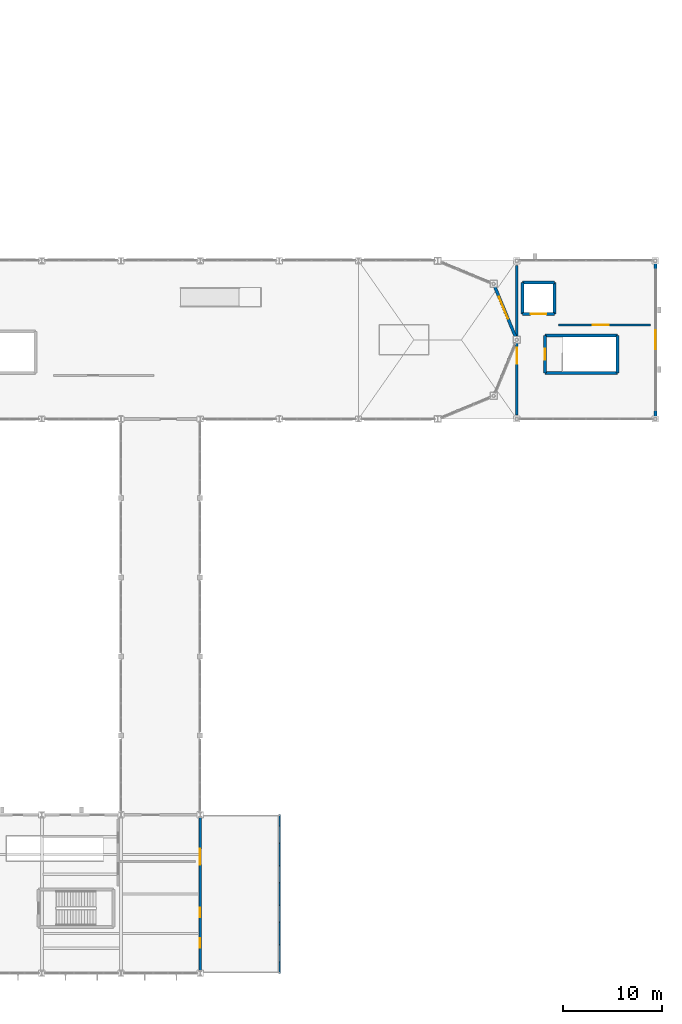
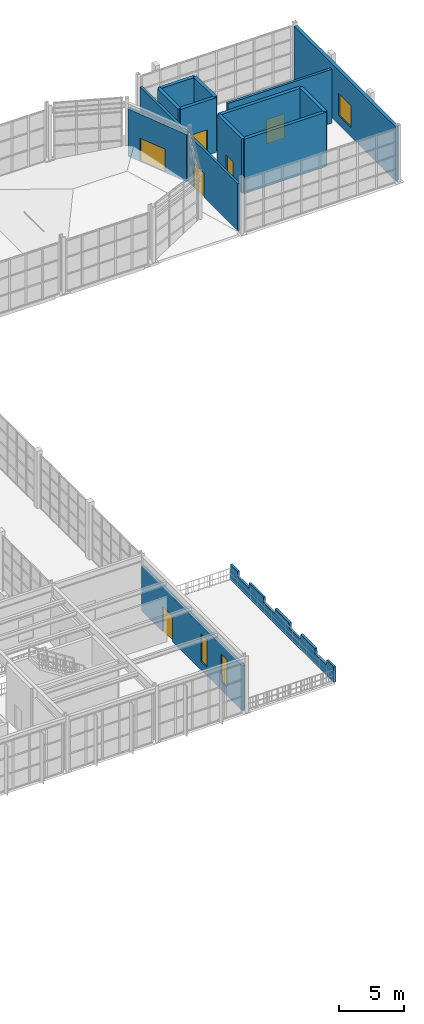
# One storey, part 70 of 82: 14 walls, 6 doors, 3 windows, 9 openings.
"""IFC4 building model written with IfcOpenShell, lengths in metres."""

import ifcopenshell
import ifcopenshell.guid

model = None  # the IFC model being written
_history = None  # IfcOwnerHistory: only IFC2X3 demands one
_inside = {}  # id of a spatial element -> (the spatial element, [elements in it])
_under = {}  # id of a project, library or spatial element -> (it, [spatial elements below it])
_declared = {}  # id of a project -> (the project, [libraries it declares])
_typed = {}  # id of a type object -> (the type object, [elements of that type])
_made_of = {}  # id of a material, layer set ... -> (it, [elements and type objects made of it])


def new_model(schema):
    """Start an empty IFC model of exactly this schema.

    Asked for "IFC4X3", IfcOpenShell would pick the latest addendum, in which some entities
    have other attributes; the version numbers below select the first issue.
    IFC2X3 requires an IfcOwnerHistory on every rooted entity: one is made here for all.
    """
    global model, _history
    if schema == "IFC4X3":
        model = ifcopenshell.file(schema_version=(4, 3, 0, 0))
    else:
        model = ifcopenshell.file(schema=schema)
    _inside.clear()
    _under.clear()
    _declared.clear()
    _typed.clear()
    _made_of.clear()
    _history = None
    if model.schema == "IFC2X3":
        org = make("IfcOrganization", Name="unknown")
        user = make(
            "IfcPersonAndOrganization",
            ThePerson=make("IfcPerson", FamilyName="unknown"),
            TheOrganization=org,
        )
        app = make(
            "IfcApplication",
            ApplicationDeveloper=org,
            Version="unknown",
            ApplicationFullName="unknown",
            ApplicationIdentifier="unknown",
        )
        _history = make(
            "IfcOwnerHistory",
            OwningUser=user,
            OwningApplication=app,
            ChangeAction="ADDED",
            CreationDate=0,
        )
    return model


def make(cls, **values):
    """One entity of the class cls with the attributes given. An attribute that is None is left unset."""
    return model.create_entity(
        cls, **{name: value for name, value in values.items() if value is not None}
    )


def rooted(cls, **values):
    """An entity with a GlobalId (a new one), such as an element, a storey or a relation."""
    return make(cls, GlobalId=ifcopenshell.guid.new(), OwnerHistory=_history, **values)


def si_unit(unit_type, name, prefix=None):
    """IfcSIUnit, for example si_unit("LENGTHUNIT", "METRE", prefix="MILLI")."""
    return make("IfcSIUnit", UnitType=unit_type, Prefix=prefix, Name=name)


def assignment(units):
    """IfcUnitAssignment: the units of a project."""
    return None if units is None else make("IfcUnitAssignment", Units=units)


def point(xyz):
    """IfcCartesianPoint."""
    return None if xyz is None else make("IfcCartesianPoint", Coordinates=xyz)


def direction(xyz):
    """IfcDirection."""
    return None if xyz is None else make("IfcDirection", DirectionRatios=xyz)


def frame(location, z_axis=None, x_axis=None):
    """IfcAxis2Placement3D, a coordinate frame: its origin and axes. An axis left out is left unset."""
    return make(
        "IfcAxis2Placement3D",
        Location=point(location),
        Axis=direction(z_axis),
        RefDirection=direction(x_axis),
    )


def frame_2d(location, x_axis=None):
    """IfcAxis2Placement2D, a coordinate frame in the plane: its origin and x axis."""
    return make(
        "IfcAxis2Placement2D", Location=point(location), RefDirection=direction(x_axis)
    )


def origin():
    """The frame at (0, 0, 0) with its axes left unset."""
    return frame((0.0, 0.0, 0.0))


def place(relative_to, where):
    """IfcLocalPlacement: puts the frame where relative to a parent placement (None: the world)."""
    return make(
        "IfcLocalPlacement", PlacementRelTo=relative_to, RelativePlacement=where
    )


def context(
    kind, dimensions, precision=None, world=None, true_north=None, identifier=None
):
    """IfcGeometricRepresentationContext, for example the 3D "Model" context."""
    return make(
        "IfcGeometricRepresentationContext",
        ContextIdentifier=identifier,
        ContextType=kind,
        CoordinateSpaceDimension=dimensions,
        Precision=precision,
        WorldCoordinateSystem=world,
        TrueNorth=true_north,
    )


def subcontext(parent, identifier, kind, view, scale=None):
    """IfcGeometricRepresentationSubContext, for example "Body" below "Model"."""
    return make(
        "IfcGeometricRepresentationSubContext",
        ContextIdentifier=identifier,
        ContextType=kind,
        ParentContext=parent,
        TargetScale=scale,
        TargetView=view,
    )


def project(units=None, contexts=None):
    """IfcProject with its units and contexts."""
    return rooted(
        "IfcProject",
        Name="project",
        RepresentationContexts=contexts,
        UnitsInContext=assignment(units),
    )


def spatial(cls, under=None, at=None, **own):
    """A site, building, storey or space (cls), placed at a placement, below another one or the project."""
    s = rooted(cls, ObjectPlacement=at, **own)
    if under is not None:
        _under.setdefault(under.id(), (under, []))[1].append(s)
    return s


def polyline(points):
    """IfcPolyline through the points."""
    return make("IfcPolyline", Points=[point(p) for p in points])


def profile(cls, at=None, kind="AREA", **sizes):
    """A parametric profile (cls). Its sizes go by their IFC names, for example OverallWidth=200.0."""
    return make(cls, ProfileType=kind, Position=at, **sizes)


def rectangle(**sizes):
    """IfcRectangleProfileDef."""
    return profile("IfcRectangleProfileDef", **sizes)


def outline(outer, holes=None, kind="AREA"):
    """IfcArbitraryClosedProfileDef: a profile drawn as a closed curve; with holes, ...WithVoids."""
    if holes is None:
        return make("IfcArbitraryClosedProfileDef", ProfileType=kind, OuterCurve=outer)
    return make(
        "IfcArbitraryProfileDefWithVoids",
        ProfileType=kind,
        OuterCurve=outer,
        InnerCurves=holes,
    )


def extrude(swept, where, along, depth):
    """IfcExtrudedAreaSolid: the profile swept, set in the frame where, extruded along a direction by depth."""
    return make(
        "IfcExtrudedAreaSolid",
        SweptArea=swept,
        Position=where,
        ExtrudedDirection=direction(along),
        Depth=depth,
    )


def shape(context_of_items, identifier, shape_type, items):
    """IfcShapeRepresentation: the items that make up one representation, for example the "Body"."""
    return make(
        "IfcShapeRepresentation",
        ContextOfItems=context_of_items,
        RepresentationIdentifier=identifier,
        RepresentationType=shape_type,
        Items=items,
    )


def material(Name=None, Category=None):
    """IfcMaterial."""
    return make("IfcMaterial", Name=Name, Category=Category)


def layer(
    of_material, thickness, ventilated=None, Name=None, Category=None, Priority=None
):
    """IfcMaterialLayer: one layer of a wall or slab, of a material (None: an air gap)."""
    return make(
        "IfcMaterialLayer",
        Material=of_material,
        LayerThickness=thickness,
        IsVentilated=ventilated,
        Name=Name,
        Category=Category,
        Priority=Priority,
    )


def layer_set(layers, Name=None):
    """IfcMaterialLayerSet."""
    return make("IfcMaterialLayerSet", MaterialLayers=layers, LayerSetName=Name)


def made_of(thing, what):
    """Note that an element or type object is made of a material, layer set ...; save() writes the relation."""
    if what is not None:
        _made_of.setdefault(what.id(), (what, []))[1].append(thing)
    return thing


def type_object(cls, material=None, **own):
    """A type object (cls), such as IfcWallType, which elements share."""
    return made_of(rooted(cls, **own), material)


def element(
    cls,
    number,
    at=None,
    inside=None,
    cuts=None,
    type_object=None,
    material=None,
    context=None,
    identifier="Body",
    shape_type=None,
    held_by="IfcProductDefinitionShape",
    body=None,
    shapes=None,
    **own,
):
    """One element of the class cls, such as IfcWall. Its Tag is "e" and its number.

    at: its placement. inside: the storey or other place that contains it. cuts: it is an
    opening in that element (IfcRelVoidsElement). A single representation is given by context,
    identifier, shape_type and body (its items); several are given by shapes. held_by: the class
    of the entity that holds the representations. save() writes the other relations.
    """
    e = rooted(cls, Tag="e%d" % number, ObjectPlacement=at, **own)
    if body is not None:
        shapes = [shape(context, identifier, shape_type, body)]
    if shapes is not None:
        e.Representation = make(held_by, Representations=shapes)
    if inside is not None:
        _inside.setdefault(inside.id(), (inside, []))[1].append(e)
    if cuts is not None:
        rooted(
            "IfcRelVoidsElement", RelatingBuildingElement=cuts, RelatedOpeningElement=e
        )
    if type_object is not None:
        _typed.setdefault(type_object.id(), (type_object, []))[1].append(e)
    return made_of(e, material)


def fill(opening, filler):
    """IfcRelFillsElement: the door or window that sits in an opening."""
    return rooted(
        "IfcRelFillsElement",
        RelatingOpeningElement=opening,
        RelatedBuildingElement=filler,
    )


def aggregate(whole, parts):
    """IfcRelAggregates: a whole, such as a stair, and the parts it consists of."""
    return rooted("IfcRelAggregates", RelatingObject=whole, RelatedObjects=parts)


def save(model, path):
    """Write the relations noted so far, then the file.

    IfcRelAggregates (storeys below a building ...), IfcRelContainedInSpatialStructure (elements
    in a storey), IfcRelDefinesByType, IfcRelAssociatesMaterial and IfcRelDeclares: one each for
    every whole, place, type object, material and project.
    """
    for whole, parts in _under.values():
        aggregate(whole, parts)
    for where, things in _inside.values():
        rooted(
            "IfcRelContainedInSpatialStructure",
            RelatedElements=things,
            RelatingStructure=where,
        )
    for kind, things in _typed.values():
        rooted("IfcRelDefinesByType", RelatedObjects=things, RelatingType=kind)
    for what, things in _made_of.values():
        rooted("IfcRelAssociatesMaterial", RelatedObjects=things, RelatingMaterial=what)
    for by, libraries in _declared.values():
        rooted("IfcRelDeclares", RelatingContext=by, RelatedDefinitions=libraries)
    model.write(path)


model = new_model("IFC4")

# Units and contexts
model_context = context("Model", 3, precision=1e-05, world=origin(), true_north=direction((0.0, 1.0)))
body_context = subcontext(model_context, "Body", "Model", "MODEL_VIEW")
ifc_project = project(units=[si_unit("LENGTHUNIT", "METRE"), si_unit("AREAUNIT", "SQUARE_METRE"), si_unit("VOLUMEUNIT", "CUBIC_METRE"), si_unit("PLANEANGLEUNIT", "RADIAN"), si_unit("MASSUNIT", "GRAM", prefix="KILO")], contexts=[model_context])

# Site, building, storey
site_placement = place(None, origin())
site = spatial("IfcSite", under=ifc_project, at=site_placement, CompositionType="ELEMENT")
building_placement = place(site_placement, origin())
building = spatial("IfcBuilding", under=site, at=building_placement, Name="Serraluz Foothill Cableway Terminal", CompositionType="ELEMENT")
storey_placement = place(building_placement, frame((0.0, 0.0, 9.60009765625)))
storey = spatial("IfcBuildingStorey", under=building, at=storey_placement, Name="L02", CompositionType="ELEMENT", Elevation=9.60009765625)

# Wall, openings, door, windows
ifc_material_1 = material(Name="Fired clay masonry brick (f'm 12 MPa)", Category="masonry")
ifc_layer_1 = layer(ifc_material_1, 0.280029296875, Name="Fired clay masonry brick (f'm 12 MPa)", Category="masonry")
ifc_layer_set_1 = layer_set([ifc_layer_1], Name="Fired clay masonry brick (f'm 12 MPa)")
wall_type_1 = type_object("IfcWallType", Name="TYP-WL-EXT-280", PredefinedType="STANDARD", material=ifc_layer_set_1)
wall_1_placement = place(storey_placement, frame((128.0, 15.763916015625, 0.0), z_axis=(0.0, 0.0, 1.0), x_axis=(0.0, -1.0, 0.0)))
wall_1 = element("IfcWall", 1, at=wall_1_placement, inside=storey, type_object=wall_type_1, Name="Exterior Masonry Wall EW-V3E-L02", PredefinedType="STANDARD", context=body_context, shape_type="SweptSolid", body=[
    extrude(rectangle(XDim=15.52783203125, YDim=0.280029296875, at=frame_2d((7.763916015625, 0.0))), origin(), (0.0, 0.0, 1.0), 4.23779296875),
])
opening_1_placement = place(wall_1_placement, frame((9.15234375, 0.0, 0.800048828125)))
opening_1 = element("IfcOpeningElement", 2, at=opening_1_placement, cuts=wall_1, Name="Opening W-03", PredefinedType="OPENING", context=body_context, shape_type="SweptSolid", body=[
    extrude(rectangle(XDim=0.949951171875, YDim=2.60009765625, at=frame_2d((0.47509765625, 1.300048828125))), frame((0.0, 0.14990234375, 0.0), z_axis=(0.0, -1.0, 0.0), x_axis=(1.0, 0.0, 0.0)), (0.0, 0.0, 1.0), 0.300048828125),
])
opening_2_placement = place(wall_1_placement, frame((12.258056640625, 0.0, 0.800048828125)))
opening_2 = element("IfcOpeningElement", 3, at=opening_2_placement, cuts=wall_1, Name="Opening W-03", PredefinedType="OPENING", context=body_context, shape_type="SweptSolid", body=[
    extrude(rectangle(XDim=0.949951171875, YDim=2.60009765625, at=frame_2d((0.47509765625, 1.300048828125))), frame((0.0, 0.14990234375, 0.0), z_axis=(0.0, -1.0, 0.0), x_axis=(1.0, 0.0, 0.0)), (0.0, 0.0, 1.0), 0.300048828125),
])
opening_3_placement = place(wall_1_placement, frame((3.199951171875, 0.0, 0.0)))
opening_3 = element("IfcOpeningElement", 4, at=opening_3_placement, cuts=wall_1, Name="Opening DT-03", PredefinedType="OPENING", context=body_context, shape_type="SweptSolid", body=[
    extrude(rectangle(XDim=1.60009765625, YDim=2.39990234375, at=frame_2d((0.800048828125, 1.199951171875))), frame((0.0, 0.14990234375, 0.0), z_axis=(0.0, -1.0, 0.0), x_axis=(1.0, 0.0, 0.0)), (0.0, 0.0, 1.0), 0.300048828125),
])
ifc_material_2 = material(Name="Architectural bronze alloy C28000", Category="aluminium")
door_type_1 = type_object("IfcDoorType", Name="TYP-DR-TER-1600", OperationType="DOUBLE_DOOR_SINGLE_SWING", PredefinedType="DOOR", material=ifc_material_2)
door_1_placement = place(opening_3_placement, origin())
door_1 = element("IfcDoor", 5, at=door_1_placement, inside=storey, type_object=door_type_1, Name="Restaurant Terrace Access Door L02", OperationType="DOUBLE_DOOR_SINGLE_SWING", OverallHeight=2.39990234375, OverallWidth=1.60009765625, PredefinedType="DOOR", context=body_context, shape_type="SweptSolid", body=[
    extrude(rectangle(XDim=1.60009765625, YDim=2.39990234375, at=frame_2d((0.800048828125, 1.199951171875))), frame((0.0, 0.02490234375, 0.0), z_axis=(0.0, -1.0, 0.0), x_axis=(1.0, 0.0, 0.0)), (0.0, 0.0, 1.0), 0.050048828125),
])
fill(opening_3, door_1)
ifc_material_3 = material(Name="Laminated low-E safety glass", Category="glass")
window_type_1 = type_object("IfcWindowType", Name="TYP-WN-095X260", PartitioningType="SINGLE_PANEL", PredefinedType="WINDOW", material=ifc_material_3)
window_1_placement = place(opening_1_placement, origin())
window_1 = element("IfcWindow", 6, at=window_1_placement, inside=storey, type_object=window_type_1, Name="Exterior Window EW-V3E-L02-WN1", OverallHeight=2.60009765625, OverallWidth=0.949951171875, PartitioningType="SINGLE_PANEL", PredefinedType="WINDOW", context=body_context, shape_type="SweptSolid", body=[
    extrude(rectangle(XDim=0.949951171875, YDim=2.60009765625, at=frame_2d((0.47509765625, 1.300048828125))), frame((0.0, 0.030029296875, 0.0), z_axis=(0.0, -1.0, 0.0), x_axis=(1.0, 0.0, 0.0)), (0.0, 0.0, 1.0), 0.06005859375),
])
fill(opening_1, window_1)
window_2_placement = place(opening_2_placement, origin())
window_2 = element("IfcWindow", 7, at=window_2_placement, inside=storey, type_object=window_type_1, Name="Exterior Window EW-V3E-L02-WN2", OverallHeight=2.60009765625, OverallWidth=0.949951171875, PartitioningType="SINGLE_PANEL", PredefinedType="WINDOW", context=body_context, shape_type="SweptSolid", body=[
    extrude(rectangle(XDim=0.949951171875, YDim=2.60009765625, at=frame_2d((0.47509765625, 1.300048828125))), frame((0.0, 0.030029296875, 0.0), z_axis=(0.0, -1.0, 0.0), x_axis=(1.0, 0.0, 0.0)), (0.0, 0.0, 1.0), 0.06005859375),
])
fill(opening_2, window_2)

# Wall, opening, door
ifc_layer_2 = layer(ifc_material_1, 0.300048828125, Name="Fired clay masonry brick (f'm 12 MPa)", Category="masonry")
ifc_layer_set_2 = layer_set([ifc_layer_2], Name="Fired clay masonry brick (f'm 12 MPa)")
wall_type_2 = type_object("IfcWallType", Name="TYP-WL-EXT-300", PredefinedType="STANDARD", material=ifc_layer_set_2)
wall_2_placement = place(storey_placement, frame((157.73779296875, 69.46142578125, 0.0), z_axis=(0.0, 0.0, 1.0), x_axis=(0.382677131927, -0.923882142213, 0.0)))
wall_2 = element("IfcWall", 8, at=wall_2_placement, inside=storey, type_object=wall_type_2, Name="Exterior Masonry Wall EW-V1-E-L02-1", PredefinedType="STANDARD", context=body_context, shape_type="SweptSolid", body=[
    extrude(rectangle(XDim=5.69970703125, YDim=0.300048828125, at=frame_2d((2.849853515625, 0.0))), origin(), (0.0, 0.0, 1.0), 4.477783203125),
])
opening_4_placement = place(wall_2_placement, frame((1.199951171875, 0.0, 0.0)))
opening_4 = element("IfcOpeningElement", 9, at=opening_4_placement, cuts=wall_2, Name="Opening GP-G1", PredefinedType="OPENING", context=body_context, shape_type="SweptSolid", body=[
    extrude(rectangle(XDim=2.39990234375, YDim=2.199951171875, at=frame_2d((1.199951171875, 1.10009765625))), frame((0.0, 0.16015625, 0.0), z_axis=(0.0, -1.0, 0.0), x_axis=(1.0, 0.0, 0.0)), (0.0, 0.0, 1.0), 0.320068359375),
])
ifc_material_4 = material(Name="Galvanized hollow-metal steel sheet", Category="steel")
door_type_2 = type_object("IfcDoorType", Name="TYP-GT-PLAT-2400", OperationType="DOUBLE_DOOR_SLIDING", PredefinedType="GATE", material=ifc_material_4)
door_2_placement = place(opening_4_placement, origin())
door_2 = element("IfcDoor", 10, at=door_2_placement, inside=storey, type_object=door_type_2, Name="Gondola Line Portal Gate E", OperationType="DOUBLE_DOOR_SLIDING", OverallHeight=2.199951171875, OverallWidth=2.39990234375, PredefinedType="GATE", context=body_context, shape_type="SweptSolid", body=[
    extrude(rectangle(XDim=2.39990234375, YDim=2.199951171875, at=frame_2d((1.199951171875, 1.10009765625))), frame((0.0, 0.02490234375, 0.0), z_axis=(0.0, -1.0, 0.0), x_axis=(1.0, 0.0, 0.0)), (0.0, 0.0, 1.0), 0.050048828125),
])
fill(opening_4, door_2)

# Wall, opening, window
wall_3_placement = place(storey_placement, frame((174.0, 71.85009765625, 0.0), z_axis=(0.0, 0.0, 1.0), x_axis=(0.0, -1.0, 0.0)))
wall_3 = element("IfcWall", 11, at=wall_3_placement, inside=storey, type_object=wall_type_2, Name="Exterior Masonry Wall EW-V2-L02-12", PredefinedType="STANDARD", context=body_context, shape_type="SweptSolid", body=[
    extrude(rectangle(XDim=15.7001953125, YDim=0.300048828125, at=frame_2d((7.85009765625, 0.0))), origin(), (0.0, 0.0, 1.0), 5.099853515625),
])
opening_5_placement = place(wall_3_placement, frame((6.889892578125, 0.0, 0.85009765625)))
opening_5 = element("IfcOpeningElement", 12, at=opening_5_placement, cuts=wall_3, Name="Opening W-56", PredefinedType="OPENING", context=body_context, shape_type="SweptSolid", body=[
    extrude(rectangle(XDim=1.919921875, YDim=2.10009765625, at=frame_2d((0.9599609375, 1.050048828125))), frame((0.0, 0.16015625, 0.0), z_axis=(0.0, -1.0, 0.0), x_axis=(1.0, 0.0, 0.0)), (0.0, 0.0, 1.0), 0.320068359375),
])
window_type_2 = type_object("IfcWindowType", Name="TYP-WN-192X210", PartitioningType="DOUBLE_PANEL_VERTICAL", PredefinedType="WINDOW", material=ifc_material_3)
window_3_placement = place(opening_5_placement, origin())
window_3 = element("IfcWindow", 13, at=window_3_placement, inside=storey, type_object=window_type_2, Name="Exterior Window EW-V2-L02-12-WN2", OverallHeight=2.10009765625, OverallWidth=1.919921875, PartitioningType="SINGLE_PANEL", PredefinedType="WINDOW", context=body_context, shape_type="SweptSolid", body=[
    extrude(rectangle(XDim=1.919921875, YDim=2.10009765625, at=frame_2d((0.9599609375, 1.050048828125))), frame((0.0, 0.030029296875, 0.0), z_axis=(0.0, -1.0, 0.0), x_axis=(1.0, 0.0, 0.0)), (0.0, 0.0, 1.0), 0.06005859375),
])
fill(opening_5, window_3)

# Wall
ifc_layer_3 = layer(ifc_material_1, 0.18994140625, Name="Fired clay masonry brick (f'm 12 MPa)", Category="masonry")
ifc_layer_set_3 = layer_set([ifc_layer_3], Name="Fired clay masonry brick (f'm 12 MPa)")
wall_type_3 = type_object("IfcWallType", Name="TYP-WL-PAR-190", PredefinedType="PARAPET", material=ifc_layer_set_3)
wall_4_placement = place(storey_placement, frame((136.0, 16.0, 0.0), z_axis=(0.0, 0.0, 1.0), x_axis=(0.0, -1.0, 0.0)))
element("IfcWall", 14, at=wall_4_placement, inside=storey, type_object=wall_type_3, Name="Stepped Brick Parapet Wall WP-V3E-1", PredefinedType="PARAPET", context=body_context, shape_type="SweptSolid", body=[
    extrude(outline(polyline([(0.0, 0.0), (16.0, 0.0), (16.0, 1.449951171875), (14.889892578125, 1.449951171875), (14.8798828125, 0.949951171875), (13.1298828125, 0.949951171875), (13.1201171875, 1.449951171875), (12.0, 1.449951171875), (11.989990234375, 1.449951171875), (10.889892578125, 1.449951171875), (10.8798828125, 0.949951171875), (9.1298828125, 0.949951171875), (9.1201171875, 1.449951171875), (8.0, 1.449951171875), (7.989990234375, 1.449951171875), (6.889892578125, 1.449951171875), (6.8798828125, 0.949951171875), (5.1298828125, 0.949951171875), (5.1201171875, 1.449951171875), (4.0, 1.449951171875), (3.989990234375, 1.449951171875), (2.889892578125, 1.449951171875), (2.8798828125, 0.949951171875), (1.1298828125, 0.949951171875), (1.1201171875, 1.449951171875), (0.0, 1.449951171875), (0.0, 0.0)])), frame((0.0, 0.094970703125, 0.0), z_axis=(0.0, -1.0, 0.0), x_axis=(1.0, 0.0, 0.0)), (0.0, 0.0, 1.0), 0.18994140625),
])

# Wall, opening, door
ifc_material_5 = material(Name="Concrete C28/35 (f'c 28 MPa)", Category="concrete")
ifc_layer_4 = layer(ifc_material_5, 0.219970703125, Name="Concrete C28/35 (f'c 28 MPa)", Category="concrete")
ifc_layer_set_4 = layer_set([ifc_layer_4], Name="Concrete C28/35 (f'c 28 MPa)")
wall_type_4 = type_object("IfcWallType", Name="TYP-WL-PRT-220", PredefinedType="PARTITIONING", material=ifc_layer_set_4)
wall_5_placement = place(storey_placement, frame((160.0, 56.39990234375, 0.0), z_axis=(0.0, 0.0, 1.0), x_axis=(0.0, 1.0, 0.0)))
wall_5 = element("IfcWall", 15, at=wall_5_placement, inside=storey, type_object=wall_type_4, Name="Interior Partition PT-L02-V1V2", PredefinedType="PARTITIONING", context=body_context, shape_type="SweptSolid", body=[
    extrude(rectangle(XDim=15.10009765625, YDim=0.219970703125, at=frame_2d((7.550048828125, 0.0))), origin(), (0.0, 0.0, 1.0), 4.469970703125),
])
opening_6_placement = place(wall_5_placement, frame((5.199951171875, 0.0, 0.0)))
opening_6 = element("IfcOpeningElement", 16, at=opening_6_placement, cuts=wall_5, Name="Opening DF-10", PredefinedType="OPENING", context=body_context, shape_type="SweptSolid", body=[
    extrude(rectangle(XDim=1.60009765625, YDim=2.300048828125, at=frame_2d((0.800048828125, 1.14990234375))), frame((0.0, 0.1201171875, 0.0), z_axis=(0.0, -1.0, 0.0), x_axis=(1.0, 0.0, 0.0)), (0.0, 0.0, 1.0), 0.239990234375),
])
door_type_3 = type_object("IfcDoorType", Name="TYP-DR-FD60-1600", OperationType="DOUBLE_DOOR_SINGLE_SWING", PredefinedType="DOOR", material=ifc_material_4)
door_3_placement = place(opening_6_placement, origin())
door_3 = element("IfcDoor", 17, at=door_3_placement, inside=storey, type_object=door_type_3, Name="Interior Door PT-L02-V1V2-DR1", OperationType="DOUBLE_DOOR_SINGLE_SWING", OverallHeight=2.300048828125, OverallWidth=1.60009765625, PredefinedType="DOOR", context=body_context, shape_type="SweptSolid", body=[
    extrude(rectangle(XDim=1.60009765625, YDim=2.300048828125, at=frame_2d((0.800048828125, 1.14990234375))), frame((0.0, 0.02490234375, 0.0), z_axis=(0.0, -1.0, 0.0), x_axis=(1.0, 0.0, 0.0)), (0.0, 0.0, 1.0), 0.050048828125),
])
fill(opening_6, door_3)

wall_6_placement = place(storey_placement, frame((164.199951171875, 65.5, 0.0), z_axis=(0.0, 0.0, 1.0), x_axis=(1.0, 0.0, 0.0)))
wall_6 = element("IfcWall", 18, at=wall_6_placement, inside=storey, type_object=wall_type_4, Name="Interior Partition PT-L02-04", PredefinedType="PARTITIONING", context=body_context, shape_type="SweptSolid", body=[
    extrude(rectangle(XDim=9.300048828125, YDim=0.219970703125, at=frame_2d((4.64990234375, 0.0))), origin(), (0.0, 0.0, 1.0), 5.079833984375),
])
opening_7_placement = place(wall_6_placement, frame((3.5, 0.0, 0.0)))
opening_7 = element("IfcOpeningElement", 19, at=opening_7_placement, cuts=wall_6, Name="Opening DF-10", PredefinedType="OPENING", context=body_context, shape_type="SweptSolid", body=[
    extrude(rectangle(XDim=1.60009765625, YDim=2.300048828125, at=frame_2d((0.800048828125, 1.14990234375))), frame((0.0, 0.1201171875, 0.0), z_axis=(0.0, -1.0, 0.0), x_axis=(1.0, 0.0, 0.0)), (0.0, 0.0, 1.0), 0.239990234375),
])
door_4_placement = place(opening_7_placement, origin())
door_4 = element("IfcDoor", 20, at=door_4_placement, inside=storey, type_object=door_type_3, Name="Interior Door PT-L02-04-DR1", OperationType="DOUBLE_DOOR_SINGLE_SWING", OverallHeight=2.300048828125, OverallWidth=1.60009765625, PredefinedType="DOOR", context=body_context, shape_type="SweptSolid", body=[
    extrude(rectangle(XDim=1.60009765625, YDim=2.300048828125, at=frame_2d((0.800048828125, 1.14990234375))), frame((0.0, 0.02490234375, 0.0), z_axis=(0.0, -1.0, 0.0), x_axis=(1.0, 0.0, 0.0)), (0.0, 0.0, 1.0), 0.050048828125),
])
fill(opening_7, door_4)

# Wall
ifc_material_6 = material(Name="Concrete C35/45 (f'c 35 MPa)", Category="concrete")
ifc_layer_5 = layer(ifc_material_6, 0.300048828125, Name="Concrete C35/45 (f'c 35 MPa)", Category="concrete")
ifc_layer_set_5 = layer_set([ifc_layer_5], Name="Concrete C35/45 (f'c 35 MPa)")
wall_type_5 = type_object("IfcWallType", Name="TYP-WL-SHR-350", PredefinedType="SHEAR", material=ifc_layer_set_5)
wall_7_placement = place(storey_placement, frame((170.175048828125, 60.64990234375, 0.0), z_axis=(0.0, 0.0, 1.0), x_axis=(-1.0, 0.0, 0.0)))
element("IfcWall", 21, at=wall_7_placement, inside=storey, type_object=wall_type_5, Name="Stair Core Shear Wall CW-ST-05-L02-S", PredefinedType="SHEAR", context=body_context, shape_type="SweptSolid", body=[
    extrude(rectangle(XDim=7.324951171875, YDim=0.300048828125, at=frame_2d((3.66259765625, 0.0))), origin(), (0.0, 0.0, 1.0), 5.14990234375),
])

# Wall, opening, door
wall_8_placement = place(storey_placement, frame((162.85009765625, 60.64990234375, 0.0), z_axis=(0.0, 0.0, 1.0), x_axis=(0.0, 1.0, 0.0)))
wall_8 = element("IfcWall", 22, at=wall_8_placement, inside=storey, type_object=wall_type_5, Name="Stair Core Shear Wall CW-ST-05-L02-W", PredefinedType="SHEAR", context=body_context, shape_type="SweptSolid", body=[
    extrude(rectangle(XDim=3.780029296875, YDim=0.300048828125, at=frame_2d((1.89013671875, 0.0))), origin(), (0.0, 0.0, 1.0), 5.14990234375),
])
opening_8_placement = place(wall_8_placement, frame((1.340087890625, 0.0, 0.0)))
opening_8 = element("IfcOpeningElement", 23, at=opening_8_placement, cuts=wall_8, Name="Opening DF-07", PredefinedType="OPENING", context=body_context, shape_type="SweptSolid", body=[
    extrude(rectangle(XDim=1.10009765625, YDim=2.199951171875, at=frame_2d((0.550048828125, 1.10009765625))), frame((0.0, 0.16015625, 0.0), z_axis=(0.0, -1.0, 0.0), x_axis=(1.0, 0.0, 0.0)), (0.0, 0.0, 1.0), 0.320068359375),
])
door_type_4 = type_object("IfcDoorType", Name="TYP-DR-FD60-1100", OperationType="NOTDEFINED", PredefinedType="DOOR", material=ifc_material_4)
door_5_placement = place(opening_8_placement, origin())
door_5 = element("IfcDoor", 24, at=door_5_placement, inside=storey, type_object=door_type_4, Name="Exit Stair Fire Door ST-05 L02", OperationType="SINGLE_SWING_RIGHT", OverallHeight=2.199951171875, OverallWidth=1.10009765625, PredefinedType="DOOR", context=body_context, shape_type="SweptSolid", body=[
    extrude(rectangle(XDim=1.10009765625, YDim=2.199951171875, at=frame_2d((0.550048828125, 1.10009765625))), frame((0.0, 0.02490234375, 0.0), z_axis=(0.0, -1.0, 0.0), x_axis=(1.0, 0.0, 0.0)), (0.0, 0.0, 1.0), 0.050048828125),
])
fill(opening_8, door_5)

# Walls
wall_9_placement = place(storey_placement, frame((162.85009765625, 64.429931640625, 0.0), z_axis=(0.0, 0.0, 1.0), x_axis=(1.0, 0.0, 0.0)))
element("IfcWall", 25, at=wall_9_placement, inside=storey, type_object=wall_type_5, Name="Stair Core Shear Wall CW-ST-05-L02-N", PredefinedType="SHEAR", context=body_context, shape_type="SweptSolid", body=[
    extrude(rectangle(XDim=7.324951171875, YDim=0.300048828125, at=frame_2d((3.66259765625, 0.0))), origin(), (0.0, 0.0, 1.0), 5.14990234375),
])
wall_10_placement = place(storey_placement, frame((170.175048828125, 64.429931640625, 0.0), z_axis=(0.0, 0.0, 1.0), x_axis=(0.0, -1.0, 0.0)))
element("IfcWall", 26, at=wall_10_placement, inside=storey, type_object=wall_type_5, Name="Stair Core Shear Wall CW-ST-05-L02-E", PredefinedType="SHEAR", context=body_context, shape_type="SweptSolid", body=[
    extrude(rectangle(XDim=3.780029296875, YDim=0.300048828125, at=frame_2d((1.89013671875, 0.0))), origin(), (0.0, 0.0, 1.0), 5.14990234375),
])

# Wall, opening, door
wall_11_placement = place(storey_placement, frame((163.800048828125, 66.60009765625, 0.0), z_axis=(0.0, 0.0, 1.0), x_axis=(-1.0, 0.0, 0.0)))
wall_11 = element("IfcWall", 27, at=wall_11_placement, inside=storey, type_object=wall_type_5, Name="Lift Shaft Shear Wall LW-LF-05-L02-S", PredefinedType="SHEAR", context=body_context, shape_type="SweptSolid", body=[
    extrude(rectangle(XDim=3.199951171875, YDim=0.300048828125, at=frame_2d((1.60009765625, 0.0))), origin(), (0.0, 0.0, 1.0), 5.14990234375),
])
opening_9_placement = place(wall_11_placement, frame((0.800048828125, 0.0, 0.0)))
opening_9 = element("IfcOpeningElement", 28, at=opening_9_placement, cuts=wall_11, Name="Opening LD-03", PredefinedType="OPENING", context=body_context, shape_type="SweptSolid", body=[
    extrude(rectangle(XDim=1.60009765625, YDim=2.39990234375, at=frame_2d((0.800048828125, 1.199951171875))), frame((0.0, 0.16015625, 0.0), z_axis=(0.0, -1.0, 0.0), x_axis=(1.0, 0.0, 0.0)), (0.0, 0.0, 1.0), 0.320068359375),
])
door_type_5 = type_object("IfcDoorType", Name="TYP-DR-LD-1600", OperationType="DOUBLE_DOOR_SLIDING", PredefinedType="DOOR", material=ifc_material_4)
door_6_placement = place(opening_9_placement, origin())
door_6 = element("IfcDoor", 29, at=door_6_placement, inside=storey, type_object=door_type_5, Name="Lift Sliding Landing Door LF-05 L02", OperationType="DOUBLE_DOOR_SLIDING", OverallHeight=2.39990234375, OverallWidth=1.60009765625, PredefinedType="DOOR", context=body_context, shape_type="SweptSolid", body=[
    extrude(rectangle(XDim=1.60009765625, YDim=2.39990234375, at=frame_2d((0.800048828125, 1.199951171875))), frame((0.0, 0.02490234375, 0.0), z_axis=(0.0, -1.0, 0.0), x_axis=(1.0, 0.0, 0.0)), (0.0, 0.0, 1.0), 0.050048828125),
])
fill(opening_9, door_6)

# Walls
for number, where, z_axis, x_axis, name in (
    (30, (160.60009765625, 66.60009765625, 0.0), (0.0, 0.0, 1.0), (0.0, 1.0, 0.0), "Lift Shaft Shear Wall LW-LF-05-L02-W"),
    (31, (160.60009765625, 69.800048828125, 0.0), (0.0, 0.0, 1.0), (1.0, 0.0, 0.0), "Lift Shaft Shear Wall LW-LF-05-L02-N"),
    (32, (163.800048828125, 69.800048828125, 0.0), (0.0, 0.0, 1.0), (0.0, -1.0, 0.0), "Lift Shaft Shear Wall LW-LF-05-L02-E"),
):
    element("IfcWall", number, at=place(storey_placement, frame(where, z_axis=z_axis, x_axis=x_axis)), inside=storey, type_object=wall_type_5, Name=name, PredefinedType="SHEAR", context=body_context, shape_type="SweptSolid", body=[
        extrude(rectangle(XDim=3.199951171875, YDim=0.300048828125, at=frame_2d((1.60009765625, 0.0))), origin(), (0.0, 0.0, 1.0), 5.14990234375),
    ])

save(model, "model.ifc")
